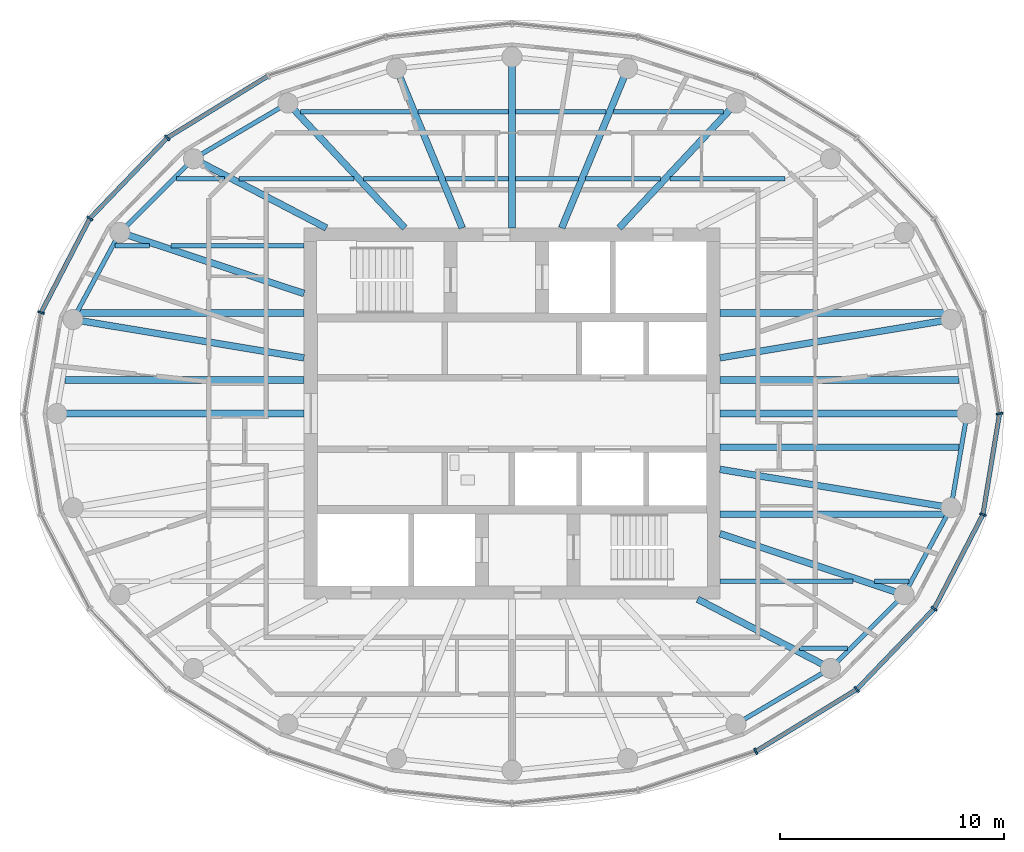
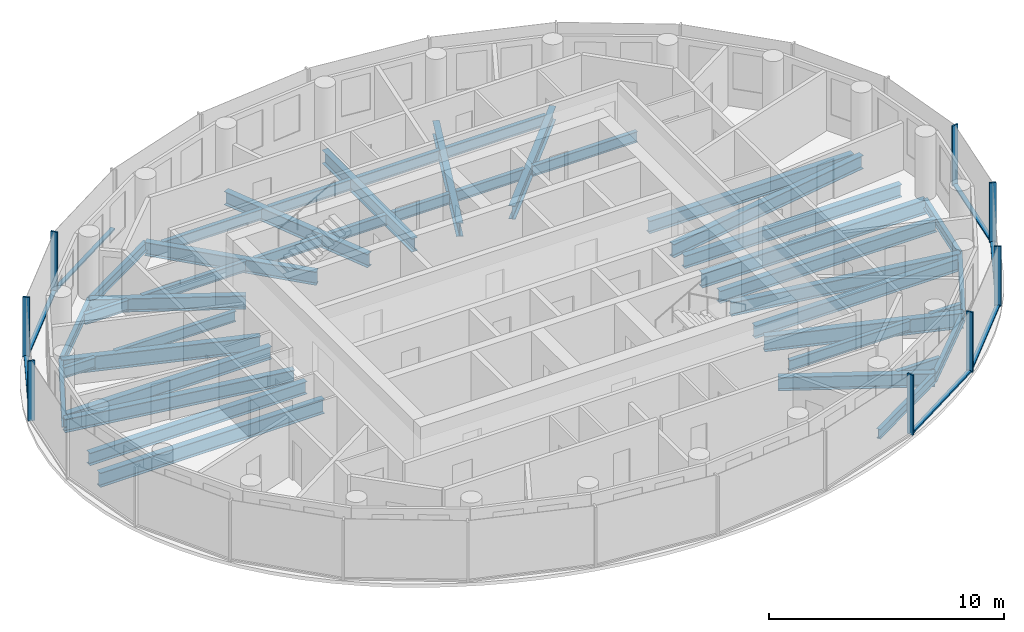
# One storey, part 2 of 12: 43 beams, 15 members, 3 elements without a shape of their own.
"""IFC4 building model written with IfcOpenShell, lengths in metres."""

from ifc_helpers import new_model, si_unit, direction, frame, origin, origin_2d, place, context, subcontext, project, spatial, rectangle, i_section, extrude, material, material_profile, profile_set, type_object, element, aggregate, save


model = new_model("IFC4")

# Units and contexts
model_context = context("Model", 3, precision=1e-05, world=origin(), true_north=direction((0.0, 1.0)))
body_context = subcontext(model_context, "Body", "Model", "MODEL_VIEW")
ifc_project = project(units=[si_unit("LENGTHUNIT", "METRE"), si_unit("AREAUNIT", "SQUARE_METRE"), si_unit("VOLUMEUNIT", "CUBIC_METRE"), si_unit("PLANEANGLEUNIT", "RADIAN"), si_unit("MASSUNIT", "GRAM", prefix="KILO")], contexts=[model_context])

# Site, building, storey
site_placement = place(None, origin())
site = spatial("IfcSite", under=ifc_project, at=site_placement, CompositionType="ELEMENT")
building_placement = place(site_placement, origin())
building = spatial("IfcBuilding", under=site, at=building_placement, Name="Hankou Lantern Tower", CompositionType="ELEMENT")
storey_placement = place(building_placement, frame((0.0, 0.0, 222.60009765625)))
storey = spatial("IfcBuildingStorey", under=building, at=storey_placement, Name="L60", CompositionType="ELEMENT", Elevation=222.60009765625)

# Beams
ifc_material_1 = material(Name="Steel Q355B", Category="steel")
ifc_material_profile_1 = material_profile(ifc_material_1, i_section(OverallWidth=0.199951171875, OverallDepth=0.5, WebThickness=0.010009765625, FlangeThickness=0.01611328125, FilletRadius=0.012939453125, at=origin_2d()), Name="HN500x200x10x16")
ifc_profile_set_1 = profile_set([ifc_material_profile_1], Name="Steel Q355B")
beam_type_1 = type_object("IfcBeamType", Name="EB5 RING BEAM HN500x200x10x16", PredefinedType="SPANDREL", material=ifc_profile_set_1)
beam_1_placement = place(storey_placement, frame((-10.01904296875, 13.8828125, -0.43017578125), z_axis=(-0.861422897323, -0.507888365655, 0.0), x_axis=(0.507888365655, -0.861422897323, 0.0)))
element("IfcBeam", 1, at=beam_1_placement, inside=storey, type_object=beam_type_1, Name="Ring beam R09-R10 L60", PredefinedType="SPANDREL", context=body_context, shape_type="SweptSolid", body=[
    extrude(i_section(OverallWidth=0.199951171875, OverallDepth=0.5, WebThickness=0.010009765625, FlangeThickness=0.01611328125, FilletRadius=0.012939453125, at=origin_2d()), origin(), (0.0, 0.0, 1.0), 4.901611328125),
])
beam_2_placement = place(storey_placement, frame((-14.241455078125, 11.393310546875, -0.43017578125), z_axis=(-0.706608588034, -0.707604623583, 0.0), x_axis=(0.707604623583, -0.706608588034, 0.0)))
element("IfcBeam", 2, at=beam_2_placement, inside=storey, type_object=beam_type_1, Name="Ring beam R10-R11 L60", PredefinedType="SPANDREL", context=body_context, shape_type="SweptSolid", body=[
    extrude(i_section(OverallWidth=0.199951171875, OverallDepth=0.5, WebThickness=0.010009765625, FlangeThickness=0.01611328125, FilletRadius=0.012939453125, at=origin_2d()), origin(), (0.0, 0.0, 1.0), 4.6572265625),
])
beam_3_placement = place(storey_placement, frame((-17.5322265625, 8.097900390625, -0.43017578125), z_axis=(-0.474491806611, -0.880259919262, 0.0), x_axis=(0.880259919262, -0.474491806611, 0.0)))
element("IfcBeam", 3, at=beam_3_placement, inside=storey, type_object=beam_type_1, Name="Ring beam R11-R12 L60", PredefinedType="SPANDREL", context=body_context, shape_type="SweptSolid", body=[
    extrude(i_section(OverallWidth=0.199951171875, OverallDepth=0.5, WebThickness=0.010009765625, FlangeThickness=0.01611328125, FilletRadius=0.012939453125, at=origin_2d()), origin(), (0.0, 0.0, 1.0), 4.419189453125),
])
beam_4_placement = place(storey_placement, frame((10.01904296875, -13.8828125, -0.43017578125), z_axis=(0.861422897323, 0.507888365655, 0.0), x_axis=(-0.507888365655, 0.861422897323, 0.0)))
element("IfcBeam", 4, at=beam_4_placement, inside=storey, type_object=beam_type_1, Name="Ring beam R21-R22 L60", PredefinedType="SPANDREL", context=body_context, shape_type="SweptSolid", body=[
    extrude(i_section(OverallWidth=0.199951171875, OverallDepth=0.5, WebThickness=0.010009765625, FlangeThickness=0.01611328125, FilletRadius=0.012939453125, at=origin_2d()), origin(), (0.0, 0.0, 1.0), 4.901611328125),
])
beam_5_placement = place(storey_placement, frame((14.241455078125, -11.393310546875, -0.43017578125), z_axis=(0.706608588034, 0.707604623583, 0.0), x_axis=(-0.707604623583, 0.706608588034, 0.0)))
element("IfcBeam", 5, at=beam_5_placement, inside=storey, type_object=beam_type_1, Name="Ring beam R22-R23 L60", PredefinedType="SPANDREL", context=body_context, shape_type="SweptSolid", body=[
    extrude(i_section(OverallWidth=0.199951171875, OverallDepth=0.5, WebThickness=0.010009765625, FlangeThickness=0.01611328125, FilletRadius=0.012939453125, at=origin_2d()), origin(), (0.0, 0.0, 1.0), 4.6572265625),
])
beam_6_placement = place(storey_placement, frame((17.5322265625, -8.097900390625, -0.43017578125), z_axis=(0.474491806611, 0.880259919262, 0.0), x_axis=(-0.880259919262, 0.474491806611, 0.0)))
element("IfcBeam", 6, at=beam_6_placement, inside=storey, type_object=beam_type_1, Name="Ring beam R23-R24 L60", PredefinedType="SPANDREL", context=body_context, shape_type="SweptSolid", body=[
    extrude(i_section(OverallWidth=0.199951171875, OverallDepth=0.5, WebThickness=0.010009765625, FlangeThickness=0.01611328125, FilletRadius=0.012939453125, at=origin_2d()), origin(), (0.0, 0.0, 1.0), 4.419189453125),
])
beam_7_placement = place(storey_placement, frame((19.629150390625, -4.207763671875, -0.43017578125), z_axis=(0.168876512999, 0.98563721691, 0.0), x_axis=(-0.98563721691, 0.168876512999, 0.0)))
element("IfcBeam", 7, at=beam_7_placement, inside=storey, type_object=beam_type_1, Name="Ring beam R24-R01 L60", PredefinedType="SPANDREL", context=body_context, shape_type="SweptSolid", body=[
    extrude(i_section(OverallWidth=0.199951171875, OverallDepth=0.5, WebThickness=0.010009765625, FlangeThickness=0.01611328125, FilletRadius=0.012939453125, at=origin_2d()), origin(), (0.0, 0.0, 1.0), 4.26904296875),
])

# Curtain wall, member
ifc_material_2 = material(Name="Glass, dark grey tinted laminated", Category="glass")
curtain_wall_type = type_object("IfcCurtainWallType", Name="CWD OUTER SKIN SUITE", PredefinedType="USERDEFINED", material=ifc_material_2)
curtain_wall_1_placement = place(storey_placement, origin())
curtain_wall_1 = element("IfcCurtainWall", 8, at=curtain_wall_1_placement, inside=storey, type_object=curtain_wall_type, Name="CWD L60 OS1", ObjectType="OUTER SKIN SUITE", PredefinedType="USERDEFINED")
ifc_material_3 = material(Name="Aluminium, black anodised", Category="aluminium")
ifc_material_profile_2 = material_profile(ifc_material_3, rectangle(XDim=0.080078125, YDim=0.300048828125, at=origin_2d()), Name="MU1 80X300")
ifc_profile_set_2 = profile_set([ifc_material_profile_2], Name="Aluminium, black anodised")
member_type_1 = type_object("IfcMemberType", Name="MU1 OUTER SKIN MULLION 80X300", PredefinedType="MULLION", material=ifc_profile_set_2)
member_1_placement = place(storey_placement, frame((21.800048828125, 0.0, 0.0), z_axis=(0.0, 0.0, 1.0), x_axis=(-0.162381515188, 0.986728049427, 0.0)))
member_1 = element("IfcMember", 9, at=member_1_placement, type_object=member_type_1, Name="CWD mullion 1", PredefinedType="MULLION", context=body_context, shape_type="SweptSolid", body=[
    extrude(rectangle(XDim=0.080078125, YDim=0.300048828125, at=origin_2d()), origin(), (0.0, 0.0, 1.0), 3.119873046875),
])
aggregate(curtain_wall_1, [member_1])

# Curtain wall, members
curtain_wall_2_placement = place(storey_placement, origin())
curtain_wall_2 = element("IfcCurtainWall", 10, at=curtain_wall_2_placement, inside=storey, type_object=curtain_wall_type, Name="CWD L60 OS2", ObjectType="OUTER SKIN SUITE", PredefinedType="USERDEFINED")
member_2_placement = place(storey_placement, frame((-15.4150390625, 12.33203125, 0.0), z_axis=(0.0, 0.0, 1.0), x_axis=(-0.780868809444, -0.624695047553, 0.0)))
member_2 = element("IfcMember", 11, at=member_2_placement, type_object=member_type_1, Name="CWD mullion 4", PredefinedType="MULLION", context=body_context, shape_type="SweptSolid", body=[
    extrude(rectangle(XDim=0.080078125, YDim=0.300048828125, at=origin_2d()), origin(), (0.0, 0.0, 1.0), 3.119873046875),
])
member_3_placement = place(storey_placement, frame((-18.87939453125, 8.719970703125, 0.0), z_axis=(0.0, 0.0, 1.0), x_axis=(-0.585205735974, -0.810884854084, 0.0)))
member_3 = element("IfcMember", 12, at=member_3_placement, type_object=member_type_1, Name="CWD mullion 5", PredefinedType="MULLION", context=body_context, shape_type="SweptSolid", body=[
    extrude(rectangle(XDim=0.080078125, YDim=0.300048828125, at=origin_2d()), origin(), (0.0, 0.0, 1.0), 3.119873046875),
])
member_4_placement = place(storey_placement, frame((-21.05712890625, 4.513916015625, 0.0), z_axis=(0.0, 0.0, 1.0), x_axis=(-0.317595577365, -0.94822626479, 0.0)))
member_4 = element("IfcMember", 13, at=member_4_placement, type_object=member_type_1, Name="CWD mullion 6", PredefinedType="MULLION", context=body_context, shape_type="SweptSolid", body=[
    extrude(rectangle(XDim=0.080078125, YDim=0.300048828125, at=origin_2d()), origin(), (0.0, 0.0, 1.0), 3.119873046875),
])

curtain_wall_3_placement = place(storey_placement, origin())
curtain_wall_3 = element("IfcCurtainWall", 14, at=curtain_wall_3_placement, inside=storey, type_object=curtain_wall_type, Name="CWD L60 OS4", ObjectType="OUTER SKIN SUITE", PredefinedType="USERDEFINED")
member_5_placement = place(storey_placement, frame((10.89990234375, -15.103515625, 0.0), z_axis=(0.0, 0.0, 1.0), x_axis=(0.907841299004, 0.419313934686, 0.0)))
member_5 = element("IfcMember", 15, at=member_5_placement, type_object=member_type_1, Name="CWD mullion 3", PredefinedType="MULLION", context=body_context, shape_type="SweptSolid", body=[
    extrude(rectangle(XDim=0.080078125, YDim=0.300048828125, at=origin_2d()), origin(), (0.0, 0.0, 1.0), 3.119873046875),
])
member_6_placement = place(storey_placement, frame((15.4150390625, -12.33203125, 0.0), z_axis=(0.0, 0.0, 1.0), x_axis=(0.780868809444, 0.624695047553, 0.0)))
member_6 = element("IfcMember", 16, at=member_6_placement, type_object=member_type_1, Name="CWD mullion 4", PredefinedType="MULLION", context=body_context, shape_type="SweptSolid", body=[
    extrude(rectangle(XDim=0.080078125, YDim=0.300048828125, at=origin_2d()), origin(), (0.0, 0.0, 1.0), 3.119873046875),
])
member_7_placement = place(storey_placement, frame((18.87939453125, -8.719970703125, 0.0), z_axis=(0.0, 0.0, 1.0), x_axis=(0.585205735974, 0.810884854084, 0.0)))
member_7 = element("IfcMember", 17, at=member_7_placement, type_object=member_type_1, Name="CWD mullion 5", PredefinedType="MULLION", context=body_context, shape_type="SweptSolid", body=[
    extrude(rectangle(XDim=0.080078125, YDim=0.300048828125, at=origin_2d()), origin(), (0.0, 0.0, 1.0), 3.119873046875),
])
member_8_placement = place(storey_placement, frame((21.05712890625, -4.513916015625, 0.0), z_axis=(0.0, 0.0, 1.0), x_axis=(0.317595577365, 0.94822626479, 0.0)))
member_8 = element("IfcMember", 18, at=member_8_placement, type_object=member_type_1, Name="CWD mullion 6", PredefinedType="MULLION", context=body_context, shape_type="SweptSolid", body=[
    extrude(rectangle(XDim=0.080078125, YDim=0.300048828125, at=origin_2d()), origin(), (0.0, 0.0, 1.0), 3.119873046875),
])

# Beams
ifc_material_4 = material(Name="Steel Q355B", Category="steel")
ifc_material_profile_3 = material_profile(ifc_material_4, i_section(OverallWidth=0.300048828125, OverallDepth=0.75, WebThickness=0.012939453125, FlangeThickness=0.02392578125, FilletRadius=0.01806640625, at=origin_2d()), Name="HN750x300x13x24")
ifc_profile_set_3 = profile_set([ifc_material_profile_3], Name="Steel Q355B")
beam_type_2 = type_object("IfcBeamType", Name="RB10 RADIAL BEAM HN750x300x13x24", PredefinedType="BEAM", material=ifc_profile_set_3)
for number, where, z_axis, x_axis, name in (
    (19, (9.300048828125, 0.0, -0.55517578125), (1.0, 0.0, 0.0), (0.0, 1.0, 0.0), "Radial beam R01 L60"),
    (20, (-9.300048828125, 0.0, -0.55517578125), (-1.0, 0.0, 0.0), (0.0, -1.0, 0.0), "Radial beam R13 L60"),
):
    element("IfcBeam", number, at=place(storey_placement, frame(where, z_axis=z_axis, x_axis=x_axis)), inside=storey, type_object=beam_type_2, Name=name, PredefinedType="BEAM", context=body_context, shape_type="SweptSolid", body=[
        extrude(i_section(OverallWidth=0.300048828125, OverallDepth=0.75, WebThickness=0.012939453125, FlangeThickness=0.02392578125, FilletRadius=0.01806640625, at=origin_2d()), origin(), (0.0, 0.0, 1.0), 11.050048828125),
    ])
ifc_material_5 = material(Name="Steel Q355B", Category="steel")
ifc_material_profile_4 = material_profile(ifc_material_5, i_section(OverallWidth=0.300048828125, OverallDepth=0.800048828125, WebThickness=0.013916015625, FlangeThickness=0.02587890625, FilletRadius=0.01806640625, at=origin_2d()), Name="HN800x300x14x26")
ifc_profile_set_4 = profile_set([ifc_material_profile_4], Name="Steel Q355B")
beam_type_3 = type_object("IfcBeamType", Name="RB11 RADIAL BEAM HN800x300x14x26", PredefinedType="BEAM", material=ifc_profile_set_4)
for number, where, z_axis, x_axis, name in (
    (21, (-9.300048828125, 5.369384765625, -0.580078125), (-0.949219608576, 0.314614263337, 0.0), (-0.314614263337, -0.949219608576, 0.0), "Radial beam R11 L60"),
    (22, (9.300048828125, -5.369384765625, -0.580078125), (0.949219608576, -0.314614263337, 0.0), (0.314614263337, 0.949219608576, 0.0), "Radial beam R23 L60"),
):
    element("IfcBeam", number, at=place(storey_placement, frame(where, z_axis=z_axis, x_axis=x_axis)), inside=storey, type_object=beam_type_3, Name=name, PredefinedType="BEAM", context=body_context, shape_type="SweptSolid", body=[
        extrude(i_section(OverallWidth=0.300048828125, OverallDepth=0.800048828125, WebThickness=0.013916015625, FlangeThickness=0.02587890625, FilletRadius=0.01806640625, at=origin_2d()), origin(), (0.0, 0.0, 1.0), 8.672607421875),
    ])
ifc_material_6 = material(Name="Steel Q355B", Category="steel")
ifc_material_profile_5 = material_profile(ifc_material_6, i_section(OverallWidth=0.300048828125, OverallDepth=0.699951171875, WebThickness=0.012939453125, FlangeThickness=0.02392578125, FilletRadius=0.01806640625, at=origin_2d()), Name="HN700x300x13x24")
ifc_profile_set_5 = profile_set([ifc_material_profile_5], Name="Steel Q355B")
beam_type_4 = type_object("IfcBeamType", Name="RB9 RADIAL BEAM HN700x300x13x24", PredefinedType="BEAM", material=ifc_profile_set_5)
beam_8_placement = place(storey_placement, frame((9.300048828125, 2.491943359375, -0.530029296875), z_axis=(0.986482007061, 0.163869612027, 0.0), x_axis=(-0.163869612027, 0.986482007061, 0.0)))
element("IfcBeam", 23, at=beam_8_placement, inside=storey, type_object=beam_type_4, Name="Radial beam R02 L60", PredefinedType="BEAM", context=body_context, shape_type="SweptSolid", body=[
    extrude(i_section(OverallWidth=0.300048828125, OverallDepth=0.699951171875, WebThickness=0.012939453125, FlangeThickness=0.02392578125, FilletRadius=0.01806640625, at=origin_2d()), origin(), (0.0, 0.0, 1.0), 10.470703125),
])
beam_9_placement = place(storey_placement, frame((4.7919921875, 8.300048828125, -0.530029296875), z_axis=(0.68346844743, 0.729980055459, 0.0), x_axis=(-0.729980055459, 0.68346844743, 0.0)))
element("IfcBeam", 24, at=beam_9_placement, inside=storey, type_object=beam_type_4, Name="Radial beam R05 L60", PredefinedType="BEAM", context=body_context, shape_type="SweptSolid", body=[
    extrude(i_section(OverallWidth=0.300048828125, OverallDepth=0.699951171875, WebThickness=0.012939453125, FlangeThickness=0.02392578125, FilletRadius=0.01806640625, at=origin_2d()), origin(), (0.0, 0.0, 1.0), 7.64794921875),
])
beam_10_placement = place(storey_placement, frame((2.223876953125, 8.300048828125, -0.530029296875), z_axis=(0.381706648123, 0.924283525104, 0.0), x_axis=(-0.924283525104, 0.381706648123, 0.0)))
element("IfcBeam", 25, at=beam_10_placement, inside=storey, type_object=beam_type_4, Name="Radial beam R06 L60", PredefinedType="BEAM", context=body_context, shape_type="SweptSolid", body=[
    extrude(i_section(OverallWidth=0.300048828125, OverallDepth=0.699951171875, WebThickness=0.012939453125, FlangeThickness=0.02392578125, FilletRadius=0.01806640625, at=origin_2d()), origin(), (0.0, 0.0, 1.0), 7.7109375),
])
beam_11_placement = place(storey_placement, frame((0.0, 8.300048828125, -0.530029296875), z_axis=(0.0, 1.0, 0.0), x_axis=(-1.0, 0.0, 0.0)))
element("IfcBeam", 26, at=beam_11_placement, inside=storey, type_object=beam_type_4, Name="Radial beam R07 L60", PredefinedType="BEAM", context=body_context, shape_type="SweptSolid", body=[
    extrude(i_section(OverallWidth=0.300048828125, OverallDepth=0.699951171875, WebThickness=0.012939453125, FlangeThickness=0.02392578125, FilletRadius=0.01806640625, at=origin_2d()), origin(), (0.0, 0.0, 1.0), 7.64990234375),
])
beam_12_placement = place(storey_placement, frame((-2.223876953125, 8.300048828125, -0.530029296875), z_axis=(-0.381706648123, 0.924283525104, 0.0), x_axis=(-0.924283525104, -0.381706648123, 0.0)))
element("IfcBeam", 27, at=beam_12_placement, inside=storey, type_object=beam_type_4, Name="Radial beam R08 L60", PredefinedType="BEAM", context=body_context, shape_type="SweptSolid", body=[
    extrude(i_section(OverallWidth=0.300048828125, OverallDepth=0.699951171875, WebThickness=0.012939453125, FlangeThickness=0.02392578125, FilletRadius=0.01806640625, at=origin_2d()), origin(), (0.0, 0.0, 1.0), 7.7109375),
])
beam_13_placement = place(storey_placement, frame((-4.7919921875, 8.300048828125, -0.530029296875), z_axis=(-0.68346844743, 0.729980055459, 0.0), x_axis=(-0.729980055459, -0.68346844743, 0.0)))
element("IfcBeam", 28, at=beam_13_placement, inside=storey, type_object=beam_type_4, Name="Radial beam R09 L60", PredefinedType="BEAM", context=body_context, shape_type="SweptSolid", body=[
    extrude(i_section(OverallWidth=0.300048828125, OverallDepth=0.699951171875, WebThickness=0.012939453125, FlangeThickness=0.02392578125, FilletRadius=0.01806640625, at=origin_2d()), origin(), (0.0, 0.0, 1.0), 7.64794921875),
])
beam_14_placement = place(storey_placement, frame((-8.300048828125, 8.300048828125, -0.530029296875), z_axis=(-0.886988734783, 0.461791061378, 0.0), x_axis=(-0.461791061378, -0.886988734783, 0.0)))
element("IfcBeam", 29, at=beam_14_placement, inside=storey, type_object=beam_type_4, Name="Radial beam R10 L60", PredefinedType="BEAM", context=body_context, shape_type="SweptSolid", body=[
    extrude(i_section(OverallWidth=0.300048828125, OverallDepth=0.699951171875, WebThickness=0.012939453125, FlangeThickness=0.02392578125, FilletRadius=0.01806640625, at=origin_2d()), origin(), (0.0, 0.0, 1.0), 6.698486328125),
])
beam_15_placement = place(storey_placement, frame((-9.300048828125, 2.491943359375, -0.530029296875), z_axis=(-0.986482007061, 0.163869612027, 0.0), x_axis=(-0.163869612027, -0.986482007061, 0.0)))
element("IfcBeam", 30, at=beam_15_placement, inside=storey, type_object=beam_type_4, Name="Radial beam R12 L60", PredefinedType="BEAM", context=body_context, shape_type="SweptSolid", body=[
    extrude(i_section(OverallWidth=0.300048828125, OverallDepth=0.699951171875, WebThickness=0.012939453125, FlangeThickness=0.02392578125, FilletRadius=0.01806640625, at=origin_2d()), origin(), (0.0, 0.0, 1.0), 10.470703125),
])
beam_16_placement = place(storey_placement, frame((8.300048828125, -8.300048828125, -0.530029296875), z_axis=(0.886988734783, -0.461791061378, 0.0), x_axis=(0.461791061378, 0.886988734783, 0.0)))
element("IfcBeam", 31, at=beam_16_placement, inside=storey, type_object=beam_type_4, Name="Radial beam R22 L60", PredefinedType="BEAM", context=body_context, shape_type="SweptSolid", body=[
    extrude(i_section(OverallWidth=0.300048828125, OverallDepth=0.699951171875, WebThickness=0.012939453125, FlangeThickness=0.02392578125, FilletRadius=0.01806640625, at=origin_2d()), origin(), (0.0, 0.0, 1.0), 6.698486328125),
])
beam_17_placement = place(storey_placement, frame((9.300048828125, -2.491943359375, -0.530029296875), z_axis=(0.986482007061, -0.163869612027, 0.0), x_axis=(0.163869612027, 0.986482007061, 0.0)))
element("IfcBeam", 32, at=beam_17_placement, inside=storey, type_object=beam_type_4, Name="Radial beam R24 L60", PredefinedType="BEAM", context=body_context, shape_type="SweptSolid", body=[
    extrude(i_section(OverallWidth=0.300048828125, OverallDepth=0.699951171875, WebThickness=0.012939453125, FlangeThickness=0.02392578125, FilletRadius=0.01806640625, at=origin_2d()), origin(), (0.0, 0.0, 1.0), 10.470703125),
])
ifc_material_7 = material(Name="Steel Q355B", Category="steel")
ifc_material_profile_6 = material_profile(ifc_material_7, i_section(OverallWidth=0.199951171875, OverallDepth=0.550048828125, WebThickness=0.010009765625, FlangeThickness=0.01611328125, FilletRadius=0.012939453125, at=origin_2d()), Name="HN550x200x10x16")
ifc_profile_set_6 = profile_set([ifc_material_profile_6], Name="Steel Q355B")
beam_type_5 = type_object("IfcBeamType", Name="SB6 SECONDARY BEAM HN550x200x10x16", PredefinedType="JOIST", material=ifc_profile_set_6)
beam_18_placement = place(storey_placement, frame((12.8505859375, -10.5, -0.455078125), z_axis=(1.0, 0.0, 0.0), x_axis=(0.0, 1.0, 0.0)))
element("IfcBeam", 33, at=beam_18_placement, inside=storey, type_object=beam_type_5, Name="Floor joist J012 L60", PredefinedType="JOIST", context=body_context, shape_type="SweptSolid", body=[
    extrude(i_section(OverallWidth=0.199951171875, OverallDepth=0.550048828125, WebThickness=0.010009765625, FlangeThickness=0.01611328125, FilletRadius=0.012939453125, at=origin_2d()), origin(), (0.0, 0.0, 1.0), 2.1416015625),
])
beam_19_placement = place(storey_placement, frame((9.300048828125, -7.5, -0.455078125), z_axis=(1.0, 0.0, 0.0), x_axis=(0.0, 1.0, 0.0)))
element("IfcBeam", 34, at=beam_19_placement, inside=storey, type_object=beam_type_5, Name="Floor joist J015 L60", PredefinedType="JOIST", context=body_context, shape_type="SweptSolid", body=[
    extrude(i_section(OverallWidth=0.199951171875, OverallDepth=0.550048828125, WebThickness=0.010009765625, FlangeThickness=0.01611328125, FilletRadius=0.012939453125, at=origin_2d()), origin(), (0.0, 0.0, 1.0), 5.95166015625),
])
for number, where, z_axis, x_axis, name in (
    (35, (16.205322265625, -7.5, -0.455078125), (1.0, 0.0, 0.0), (0.0, 1.0, 0.0), "Floor joist J016 L60"),
    (36, (-17.740966796875, 7.5, -0.455078125), (1.0, 0.0, 0.0), (0.0, 1.0, 0.0), "Floor joist J025 L60"),
):
    element("IfcBeam", number, at=place(storey_placement, frame(where, z_axis=z_axis, x_axis=x_axis)), inside=storey, type_object=beam_type_5, Name=name, PredefinedType="JOIST", context=body_context, shape_type="SweptSolid", body=[
        extrude(i_section(OverallWidth=0.199951171875, OverallDepth=0.550048828125, WebThickness=0.010009765625, FlangeThickness=0.01611328125, FilletRadius=0.012939453125, at=origin_2d()), origin(), (0.0, 0.0, 1.0), 1.53564453125),
    ])
beam_20_placement = place(storey_placement, frame((-15.251708984375, 7.5, -0.455078125), z_axis=(1.0, 0.0, 0.0), x_axis=(0.0, 1.0, 0.0)))
element("IfcBeam", 37, at=beam_20_placement, inside=storey, type_object=beam_type_5, Name="Floor joist J026 L60", PredefinedType="JOIST", context=body_context, shape_type="SweptSolid", body=[
    extrude(i_section(OverallWidth=0.199951171875, OverallDepth=0.550048828125, WebThickness=0.010009765625, FlangeThickness=0.01611328125, FilletRadius=0.012939453125, at=origin_2d()), origin(), (0.0, 0.0, 1.0), 5.95166015625),
])
beam_21_placement = place(storey_placement, frame((-14.9921875, 10.5, -0.455078125), z_axis=(1.0, 0.0, 0.0), x_axis=(0.0, 1.0, 0.0)))
element("IfcBeam", 38, at=beam_21_placement, inside=storey, type_object=beam_type_5, Name="Floor joist J029 L60", PredefinedType="JOIST", context=body_context, shape_type="SweptSolid", body=[
    extrude(i_section(OverallWidth=0.199951171875, OverallDepth=0.550048828125, WebThickness=0.010009765625, FlangeThickness=0.01611328125, FilletRadius=0.012939453125, at=origin_2d()), origin(), (0.0, 0.0, 1.0), 2.1416015625),
])
beam_22_placement = place(storey_placement, frame((-12.200927734375, 10.5, -0.455078125), z_axis=(1.0, 0.0, 0.0), x_axis=(0.0, 1.0, 0.0)))
element("IfcBeam", 39, at=beam_22_placement, inside=storey, type_object=beam_type_5, Name="Floor joist J030 L60", PredefinedType="JOIST", context=body_context, shape_type="SweptSolid", body=[
    extrude(i_section(OverallWidth=0.199951171875, OverallDepth=0.550048828125, WebThickness=0.010009765625, FlangeThickness=0.01611328125, FilletRadius=0.012939453125, at=origin_2d()), origin(), (0.0, 0.0, 1.0), 5.1435546875),
])
beam_23_placement = place(storey_placement, frame((-6.646240234375, 10.5, -0.455078125), z_axis=(1.0, 0.0, 0.0), x_axis=(0.0, 1.0, 0.0)))
element("IfcBeam", 40, at=beam_23_placement, inside=storey, type_object=beam_type_5, Name="Floor joist J031 L60", PredefinedType="JOIST", context=body_context, shape_type="SweptSolid", body=[
    extrude(i_section(OverallWidth=0.199951171875, OverallDepth=0.550048828125, WebThickness=0.010009765625, FlangeThickness=0.01611328125, FilletRadius=0.012939453125, at=origin_2d()), origin(), (0.0, 0.0, 1.0), 3.3515625),
])
for number, where, z_axis, x_axis, name in (
    (41, (-2.97021484375, 10.5, -0.455078125), (1.0, 0.0, 0.0), (0.0, 1.0, 0.0), "Floor joist J032 L60"),
    (42, (0.14990234375, 10.5, -0.455078125), (1.0, 0.0, 0.0), (0.0, 1.0, 0.0), "Floor joist J033 L60"),
):
    element("IfcBeam", number, at=place(storey_placement, frame(where, z_axis=z_axis, x_axis=x_axis)), inside=storey, type_object=beam_type_5, Name=name, PredefinedType="JOIST", context=body_context, shape_type="SweptSolid", body=[
        extrude(i_section(OverallWidth=0.199951171875, OverallDepth=0.550048828125, WebThickness=0.010009765625, FlangeThickness=0.01611328125, FilletRadius=0.012939453125, at=origin_2d()), origin(), (0.0, 0.0, 1.0), 2.8203125),
    ])
beam_24_placement = place(storey_placement, frame((3.294677734375, 10.5, -0.455078125), z_axis=(1.0, 0.0, 0.0), x_axis=(0.0, 1.0, 0.0)))
element("IfcBeam", 43, at=beam_24_placement, inside=storey, type_object=beam_type_5, Name="Floor joist J034 L60", PredefinedType="JOIST", context=body_context, shape_type="SweptSolid", body=[
    extrude(i_section(OverallWidth=0.199951171875, OverallDepth=0.550048828125, WebThickness=0.010009765625, FlangeThickness=0.01611328125, FilletRadius=0.012939453125, at=origin_2d()), origin(), (0.0, 0.0, 1.0), 3.3515625),
])
beam_25_placement = place(storey_placement, frame((7.057373046875, 10.5, -0.455078125), z_axis=(1.0, 0.0, 0.0), x_axis=(0.0, 1.0, 0.0)))
element("IfcBeam", 44, at=beam_25_placement, inside=storey, type_object=beam_type_5, Name="Floor joist J035 L60", PredefinedType="JOIST", context=body_context, shape_type="SweptSolid", body=[
    extrude(i_section(OverallWidth=0.199951171875, OverallDepth=0.550048828125, WebThickness=0.010009765625, FlangeThickness=0.01611328125, FilletRadius=0.012939453125, at=origin_2d()), origin(), (0.0, 0.0, 1.0), 5.1435546875),
])
beam_26_placement = place(storey_placement, frame((-9.455078125, 13.5, -0.455078125), z_axis=(1.0, 0.0, 0.0), x_axis=(0.0, 1.0, 0.0)))
element("IfcBeam", 45, at=beam_26_placement, inside=storey, type_object=beam_type_5, Name="Floor joist J037 L60", PredefinedType="JOIST", context=body_context, shape_type="SweptSolid", body=[
    extrude(i_section(OverallWidth=0.199951171875, OverallDepth=0.550048828125, WebThickness=0.010009765625, FlangeThickness=0.01611328125, FilletRadius=0.012939453125, at=origin_2d()), origin(), (0.0, 0.0, 1.0), 4.92138671875),
])
for number, where, z_axis, x_axis, name in (
    (46, (-4.208984375, 13.5, -0.455078125), (1.0, 0.0, 0.0), (0.0, 1.0, 0.0), "Floor joist J038 L60"),
    (47, (0.14990234375, 13.5, -0.455078125), (1.0, 0.0, 0.0), (0.0, 1.0, 0.0), "Floor joist J039 L60"),
):
    element("IfcBeam", number, at=place(storey_placement, frame(where, z_axis=z_axis, x_axis=x_axis)), inside=storey, type_object=beam_type_5, Name=name, PredefinedType="JOIST", context=body_context, shape_type="SweptSolid", body=[
        extrude(i_section(OverallWidth=0.199951171875, OverallDepth=0.550048828125, WebThickness=0.010009765625, FlangeThickness=0.01611328125, FilletRadius=0.012939453125, at=origin_2d()), origin(), (0.0, 0.0, 1.0), 4.05908203125),
    ])
beam_27_placement = place(storey_placement, frame((4.53369140625, 13.5, -0.455078125), z_axis=(1.0, 0.0, 0.0), x_axis=(0.0, 1.0, 0.0)))
element("IfcBeam", 48, at=beam_27_placement, inside=storey, type_object=beam_type_5, Name="Floor joist J040 L60", PredefinedType="JOIST", context=body_context, shape_type="SweptSolid", body=[
    extrude(i_section(OverallWidth=0.199951171875, OverallDepth=0.550048828125, WebThickness=0.010009765625, FlangeThickness=0.01611328125, FilletRadius=0.012939453125, at=origin_2d()), origin(), (0.0, 0.0, 1.0), 4.92138671875),
])
ifc_material_8 = material(Name="Steel Q355B", Category="steel")
ifc_material_profile_7 = material_profile(ifc_material_8, i_section(OverallWidth=0.300048828125, OverallDepth=0.64990234375, WebThickness=0.010986328125, FlangeThickness=0.01708984375, FilletRadius=0.01806640625, at=origin_2d()), Name="HN650x300x11x17")
ifc_profile_set_7 = profile_set([ifc_material_profile_7], Name="Steel Q355B")
beam_type_6 = type_object("IfcBeamType", Name="SB8 SECONDARY BEAM HN650x300x11x17", PredefinedType="JOIST", material=ifc_profile_set_7)
beam_28_placement = place(storey_placement, frame((9.300048828125, -4.5, -0.505126953125), z_axis=(1.0, 0.0, 0.0), x_axis=(0.0, 1.0, 0.0)))
element("IfcBeam", 49, at=beam_28_placement, inside=storey, type_object=beam_type_6, Name="Floor joist J018 L60", PredefinedType="JOIST", context=body_context, shape_type="SweptSolid", body=[
    extrude(i_section(OverallWidth=0.300048828125, OverallDepth=0.64990234375, WebThickness=0.010986328125, FlangeThickness=0.01708984375, FilletRadius=0.01806640625, at=origin_2d()), origin(), (0.0, 0.0, 1.0), 10.057861328125),
])
for number, where, z_axis, x_axis, name in (
    (50, (9.300048828125, -1.5, -0.505126953125), (1.0, 0.0, 0.0), (0.0, 1.0, 0.0), "Floor joist J020 L60"),
    (51, (-19.991455078125, 1.5, -0.505126953125), (1.0, 0.0, 0.0), (0.0, 1.0, 0.0), "Floor joist J021 L60"),
    (52, (9.300048828125, 1.5, -0.505126953125), (1.0, 0.0, 0.0), (0.0, 1.0, 0.0), "Floor joist J022 L60"),
):
    element("IfcBeam", number, at=place(storey_placement, frame(where, z_axis=z_axis, x_axis=x_axis)), inside=storey, type_object=beam_type_6, Name=name, PredefinedType="JOIST", context=body_context, shape_type="SweptSolid", body=[
        extrude(i_section(OverallWidth=0.300048828125, OverallDepth=0.64990234375, WebThickness=0.010986328125, FlangeThickness=0.01708984375, FilletRadius=0.01806640625, at=origin_2d()), origin(), (0.0, 0.0, 1.0), 10.69140625),
    ])
for number, where, z_axis, x_axis, name in (
    (53, (-19.35791015625, 4.5, -0.505126953125), (1.0, 0.0, 0.0), (0.0, 1.0, 0.0), "Floor joist J023 L60"),
    (54, (9.300048828125, 4.5, -0.505126953125), (1.0, 0.0, 0.0), (0.0, 1.0, 0.0), "Floor joist J024 L60"),
):
    element("IfcBeam", number, at=place(storey_placement, frame(where, z_axis=z_axis, x_axis=x_axis)), inside=storey, type_object=beam_type_6, Name=name, PredefinedType="JOIST", context=body_context, shape_type="SweptSolid", body=[
        extrude(i_section(OverallWidth=0.300048828125, OverallDepth=0.64990234375, WebThickness=0.010986328125, FlangeThickness=0.01708984375, FilletRadius=0.01806640625, at=origin_2d()), origin(), (0.0, 0.0, 1.0), 10.057861328125),
    ])

# Member
ifc_material_9 = material(Name="Aluminium, black anodised", Category="aluminium")
ifc_material_profile_8 = material_profile(ifc_material_9, rectangle(XDim=0.199951171875, YDim=0.080078125, at=origin_2d()), Name="TR1 200X80")
ifc_profile_set_8 = profile_set([ifc_material_profile_8], Name="Aluminium, black anodised")
member_type_2 = type_object("IfcMemberType", Name="TR1 OUTER SKIN TRANSOM 200X80", PredefinedType="USERDEFINED", material=ifc_profile_set_8)
member_9_placement = place(storey_placement, frame((-10.93408203125, 15.08251953125, 0.039794921875), z_axis=(-0.852234544008, -0.523159900986, 0.0), x_axis=(0.523159900986, -0.852234544008, 0.0)))
member_9 = element("IfcMember", 55, at=member_9_placement, type_object=member_type_2, Name="CWD transom 3", ObjectType="TRANSOM", PredefinedType="USERDEFINED", context=body_context, shape_type="SweptSolid", body=[
    extrude(rectangle(XDim=0.199951171875, YDim=0.080078125, at=origin_2d()), origin(), (0.0, 0.0, 1.0), 5.2177734375),
])

member_10_placement = place(storey_placement, frame((-15.442626953125, 12.302978515625, 0.039794921875), z_axis=(-0.692204633274, -0.721701285626, 0.0), x_axis=(0.721701285626, -0.692204633274, 0.0)))
member_10 = element("IfcMember", 56, at=member_10_placement, type_object=member_type_2, Name="CWD transom 4", ObjectType="TRANSOM", PredefinedType="USERDEFINED", context=body_context, shape_type="SweptSolid", body=[
    extrude(rectangle(XDim=0.199951171875, YDim=0.080078125, at=origin_2d()), origin(), (0.0, 0.0, 1.0), 4.9248046875),
])

member_11_placement = place(storey_placement, frame((-18.897705078125, 8.6845703125, 0.039794921875), z_axis=(-0.45979371115, -0.888025755925, 0.0), x_axis=(0.888025755925, -0.45979371115, 0.0)))
member_11 = element("IfcMember", 57, at=member_11_placement, type_object=member_type_2, Name="CWD transom 5", ObjectType="TRANSOM", PredefinedType="USERDEFINED", context=body_context, shape_type="SweptSolid", body=[
    extrude(rectangle(XDim=0.199951171875, YDim=0.080078125, at=origin_2d()), origin(), (0.0, 0.0, 1.0), 4.65673828125),
])

aggregate(curtain_wall_2, [member_2, member_3, member_4, member_9, member_10, member_11])

member_12_placement = place(storey_placement, frame((10.93408203125, -15.08251953125, 0.039794921875), z_axis=(0.852234544008, 0.523159900986, 0.0), x_axis=(-0.523159900986, 0.852234544008, 0.0)))
member_12 = element("IfcMember", 58, at=member_12_placement, type_object=member_type_2, Name="CWD transom 3", ObjectType="TRANSOM", PredefinedType="USERDEFINED", context=body_context, shape_type="SweptSolid", body=[
    extrude(rectangle(XDim=0.199951171875, YDim=0.080078125, at=origin_2d()), origin(), (0.0, 0.0, 1.0), 5.2177734375),
])

member_13_placement = place(storey_placement, frame((15.442626953125, -12.302978515625, 0.039794921875), z_axis=(0.692204633274, 0.721701285626, 0.0), x_axis=(-0.721701285626, 0.692204633274, 0.0)))
member_13 = element("IfcMember", 59, at=member_13_placement, type_object=member_type_2, Name="CWD transom 4", ObjectType="TRANSOM", PredefinedType="USERDEFINED", context=body_context, shape_type="SweptSolid", body=[
    extrude(rectangle(XDim=0.199951171875, YDim=0.080078125, at=origin_2d()), origin(), (0.0, 0.0, 1.0), 4.9248046875),
])

member_14_placement = place(storey_placement, frame((18.897705078125, -8.6845703125, 0.039794921875), z_axis=(0.45979371115, 0.888025755925, 0.0), x_axis=(-0.888025755925, 0.45979371115, 0.0)))
member_14 = element("IfcMember", 60, at=member_14_placement, type_object=member_type_2, Name="CWD transom 5", ObjectType="TRANSOM", PredefinedType="USERDEFINED", context=body_context, shape_type="SweptSolid", body=[
    extrude(rectangle(XDim=0.199951171875, YDim=0.080078125, at=origin_2d()), origin(), (0.0, 0.0, 1.0), 4.65673828125),
])

member_15_placement = place(storey_placement, frame((21.063720703125, -4.474365234375, 0.039794921875), z_axis=(0.162363822839, 0.986730960816, 0.0), x_axis=(-0.986730960816, 0.162363822839, 0.0)))
member_15 = element("IfcMember", 61, at=member_15_placement, type_object=member_type_2, Name="CWD transom 6", ObjectType="TRANSOM", PredefinedType="USERDEFINED", context=body_context, shape_type="SweptSolid", body=[
    extrude(rectangle(XDim=0.199951171875, YDim=0.080078125, at=origin_2d()), origin(), (0.0, 0.0, 1.0), 4.494384765625),
])

aggregate(curtain_wall_3, [member_5, member_6, member_7, member_8, member_12, member_13, member_14, member_15])

save(model, "model.ifc")
